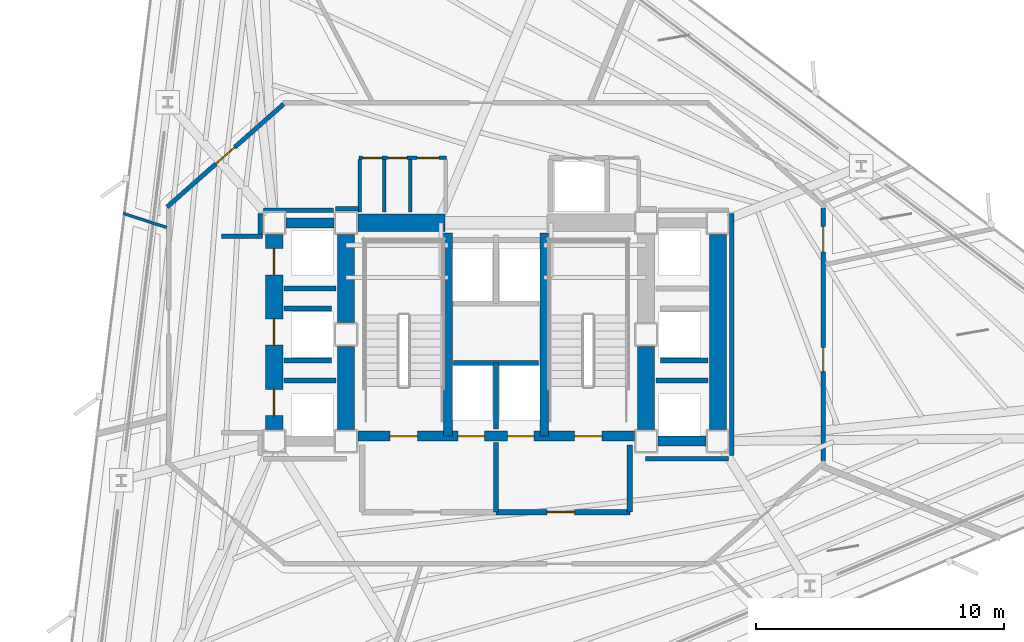
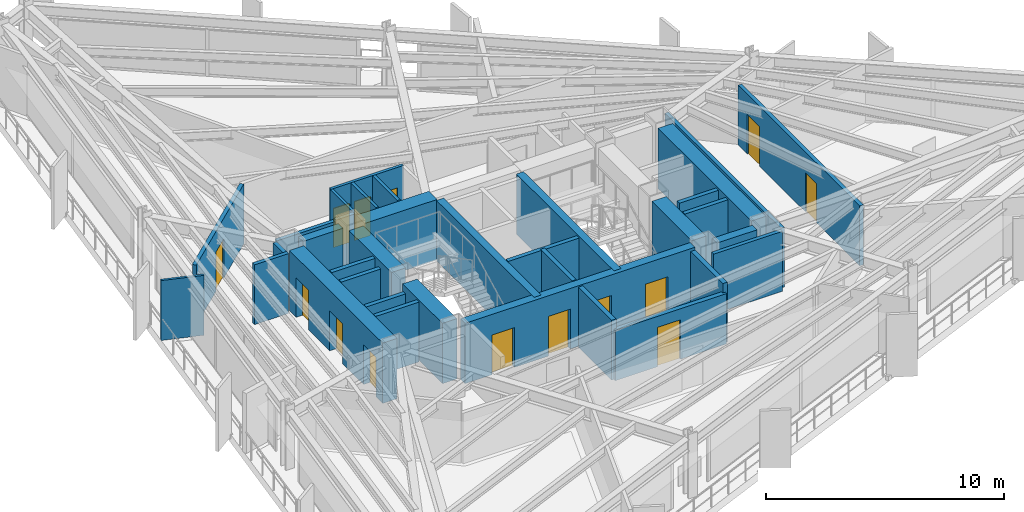
# One storey, part 7 of 13: 35 walls, 14 doors, 14 openings.
"""IFC4 building model written with IfcOpenShell, lengths in metres."""

from ifc_helpers import new_model, si_unit, direction, frame, frame_2d, origin, place, context, subcontext, project, spatial, rectangle, extrude, material, layer, layer_set, type_object, element, fill, save


model = new_model("IFC4")

# Units and contexts
model_context = context("Model", 3, precision=1e-05, world=origin(), true_north=direction((0.0, 1.0)))
body_context = subcontext(model_context, "Body", "Model", "MODEL_VIEW")
ifc_project = project(units=[si_unit("LENGTHUNIT", "METRE"), si_unit("AREAUNIT", "SQUARE_METRE"), si_unit("VOLUMEUNIT", "CUBIC_METRE"), si_unit("PLANEANGLEUNIT", "RADIAN"), si_unit("MASSUNIT", "GRAM", prefix="KILO")], contexts=[model_context])

# Site, building, storey
site_placement = place(None, origin())
site = spatial("IfcSite", under=ifc_project, at=site_placement, CompositionType="ELEMENT")
building_placement = place(site_placement, origin())
building = spatial("IfcBuilding", under=site, at=building_placement, Name="Rocaltana Carrier Exchange", CompositionType="ELEMENT")
storey_placement = place(building_placement, frame((0.0, 0.0, 49.60009765625)))
storey = spatial("IfcBuildingStorey", under=building, at=storey_placement, Name="L15", CompositionType="ELEMENT", Elevation=49.60009765625)

# Walls
ifc_material_1 = material(Name="Concrete C50/60", Category="concrete")
ifc_layer_1 = layer(ifc_material_1, 0.35009765625)
ifc_layer_set_1 = layer_set([ifc_layer_1], Name="Concrete C50/60")
wall_type_1 = type_object("IfcWallType", Name="Core Internal Shear Wall 350", PredefinedType="SHEAR", material=ifc_layer_set_1)
for number, where, z_axis, x_axis, name in (
    (1, (-1.93994140625, -4.10009765625, 0.0), (0.0, 0.0, 1.0), (0.0, 1.0, 0.0), "L15 Core Shear Wall CW-STW"),
    (2, (1.93994140625, -4.10009765625, 0.0), (0.0, 0.0, 1.0), (0.0, 1.0, 0.0), "L15 Core Shear Wall CW-STE"),
):
    element("IfcWall", number, at=place(storey_placement, frame(where, z_axis=z_axis, x_axis=x_axis)), inside=storey, type_object=wall_type_1, Name=name, PredefinedType="SHEAR", context=body_context, shape_type="SweptSolid", body=[
        extrude(rectangle(XDim=8.2001953125, YDim=0.35009765625, at=frame_2d((4.10009765625, 0.0))), origin(), (0.0, 0.0, 1.0), 3.097900390625),
    ])

# Wall, openings, doors
ifc_material_2 = material(Name="Concrete C50/60", Category="concrete")
ifc_layer_2 = layer(ifc_material_2, 0.39990234375)
ifc_layer_set_2 = layer_set([ifc_layer_2], Name="Concrete C50/60")
wall_type_2 = type_object("IfcWallType", Name="Core Internal Shear Wall 400", PredefinedType="SHEAR", material=ifc_layer_set_2)
wall_1_placement = place(storey_placement, frame((-5.574951171875, -4.10009765625, 0.0), z_axis=(0.0, 0.0, 1.0), x_axis=(1.0, 0.0, 0.0)))
wall_1 = element("IfcWall", 3, at=wall_1_placement, inside=storey, type_object=wall_type_2, Name="L15 Core Shear Wall CW-S", PredefinedType="SHEAR", context=body_context, shape_type="SweptSolid", body=[
    extrude(rectangle(XDim=11.14990234375, YDim=0.39990234375, at=frame_2d((5.574951171875, 0.0))), origin(), (0.0, 0.0, 1.0), 3.097900390625),
])
opening_1_placement = place(wall_1_placement, frame((1.304931640625, 0.0, 0.0)))
opening_1 = element("IfcOpeningElement", 4, at=opening_1_placement, cuts=wall_1, Name="Opening D-ST110", PredefinedType="OPENING", context=body_context, shape_type="SweptSolid", body=[
    extrude(rectangle(XDim=1.10009765625, YDim=2.0400390625, at=frame_2d((0.550048828125, 1.02001953125))), frame((0.0, 0.2099609375, 0.0), z_axis=(0.0, -1.0, 0.0), x_axis=(1.0, 0.0, 0.0)), (0.0, 0.0, 1.0), 0.419921875),
])
opening_2_placement = place(wall_1_placement, frame((8.7451171875, 0.0, 0.0)))
opening_2 = element("IfcOpeningElement", 5, at=opening_2_placement, cuts=wall_1, Name="Opening D-ST110", PredefinedType="OPENING", context=body_context, shape_type="SweptSolid", body=[
    extrude(rectangle(XDim=1.10009765625, YDim=2.0400390625, at=frame_2d((0.550048828125, 1.02001953125))), frame((0.0, 0.2099609375, 0.0), z_axis=(0.0, -1.0, 0.0), x_axis=(1.0, 0.0, 0.0)), (0.0, 0.0, 1.0), 0.419921875),
])
opening_3_placement = place(wall_1_placement, frame((4.044921875, 0.0, 0.0)))
opening_3 = element("IfcOpeningElement", 6, at=opening_3_placement, cuts=wall_1, Name="Opening LD-110", PredefinedType="OPENING", context=body_context, shape_type="SweptSolid", body=[
    extrude(rectangle(XDim=1.06005859375, YDim=2.0400390625, at=frame_2d((0.530029296875, 1.02001953125))), frame((0.0, 0.2099609375, 0.0), z_axis=(0.0, -1.0, 0.0), x_axis=(1.0, 0.0, 0.0)), (0.0, 0.0, 1.0), 0.419921875),
])
opening_4_placement = place(wall_1_placement, frame((6.044921875, 0.0, 0.0)))
opening_4 = element("IfcOpeningElement", 7, at=opening_4_placement, cuts=wall_1, Name="Opening LD-110", PredefinedType="OPENING", context=body_context, shape_type="SweptSolid", body=[
    extrude(rectangle(XDim=1.06005859375, YDim=2.0400390625, at=frame_2d((0.530029296875, 1.02001953125))), frame((0.0, 0.2099609375, 0.0), z_axis=(0.0, -1.0, 0.0), x_axis=(1.0, 0.0, 0.0)), (0.0, 0.0, 1.0), 0.419921875),
])
ifc_material_3 = material(Name="Hollow Metal Fire Door Assembly", Category="steel")
door_type_1 = type_object("IfcDoorType", Name="Exit Stair Fire Door 1100x2040 FD90S", OperationType="NOTDEFINED", PredefinedType="DOOR", material=ifc_material_3)
door_1_placement = place(opening_1_placement, origin())
door_1 = element("IfcDoor", 8, at=door_1_placement, inside=storey, type_object=door_type_1, Name="L15 Exit Stair ST1 Fire Door", OperationType="SINGLE_SWING_RIGHT", OverallHeight=2.0400390625, OverallWidth=1.10009765625, PredefinedType="DOOR", context=body_context, shape_type="SweptSolid", body=[
    extrude(rectangle(XDim=1.10009765625, YDim=2.0400390625, at=frame_2d((0.550048828125, 1.02001953125))), frame((0.0, 0.02490234375, 0.0), z_axis=(0.0, -1.0, 0.0), x_axis=(1.0, 0.0, 0.0)), (0.0, 0.0, 1.0), 0.050048828125),
])
fill(opening_1, door_1)
door_2_placement = place(opening_2_placement, origin())
door_2 = element("IfcDoor", 9, at=door_2_placement, inside=storey, type_object=door_type_1, Name="L15 Exit Stair ST2 Fire Door", OperationType="SINGLE_SWING_LEFT", OverallHeight=2.0400390625, OverallWidth=1.10009765625, PredefinedType="DOOR", context=body_context, shape_type="SweptSolid", body=[
    extrude(rectangle(XDim=1.10009765625, YDim=2.0400390625, at=frame_2d((0.550048828125, 1.02001953125))), frame((0.0, 0.02490234375, 0.0), z_axis=(0.0, -1.0, 0.0), x_axis=(1.0, 0.0, 0.0)), (0.0, 0.0, 1.0), 0.050048828125),
])
fill(opening_2, door_2)
ifc_material_4 = material(Name="Brushed Stainless Sliding Door Leaf", Category="steel")
door_type_2 = type_object("IfcDoorType", Name="Lift Landing Sliding Door 1060x2040", OperationType="NOTDEFINED", PredefinedType="DOOR", material=ifc_material_4)
door_3_placement = place(opening_3_placement, origin())
door_3 = element("IfcDoor", 10, at=door_3_placement, inside=storey, type_object=door_type_2, Name="L15 Firefighting Lift FFL1 Landing Door", OperationType="SLIDING_TO_LEFT", OverallHeight=2.0400390625, OverallWidth=1.06005859375, PredefinedType="DOOR", context=body_context, shape_type="SweptSolid", body=[
    extrude(rectangle(XDim=1.06005859375, YDim=2.0400390625, at=frame_2d((0.530029296875, 1.02001953125))), frame((0.0, 0.02490234375, 0.0), z_axis=(0.0, -1.0, 0.0), x_axis=(1.0, 0.0, 0.0)), (0.0, 0.0, 1.0), 0.050048828125),
])
fill(opening_3, door_3)
door_4_placement = place(opening_4_placement, origin())
door_4 = element("IfcDoor", 11, at=door_4_placement, inside=storey, type_object=door_type_2, Name="L15 Firefighting Lift FFL2 Landing Door", OperationType="SLIDING_TO_RIGHT", OverallHeight=2.0400390625, OverallWidth=1.06005859375, PredefinedType="DOOR", context=body_context, shape_type="SweptSolid", body=[
    extrude(rectangle(XDim=1.06005859375, YDim=2.0400390625, at=frame_2d((0.530029296875, 1.02001953125))), frame((0.0, 0.02490234375, 0.0), z_axis=(0.0, -1.0, 0.0), x_axis=(1.0, 0.0, 0.0)), (0.0, 0.0, 1.0), 0.050048828125),
])
fill(opening_4, door_4)

# Walls
for number, where, z_axis, x_axis, name in (
    (12, (-8.47509765625, 4.5, 0.0), (0.0, 0.0, 1.0), (1.0, 0.0, 0.0), "L15 Core Shear Wall CW-WWN"),
    (13, (6.52490234375, -4.300048828125, 0.0), (0.0, 0.0, 1.0), (1.0, 0.0, 0.0), "L15 Core Shear Wall CW-EWS"),
):
    element("IfcWall", number, at=place(storey_placement, frame(where, z_axis=z_axis, x_axis=x_axis)), inside=storey, type_object=wall_type_2, Name=name, PredefinedType="SHEAR", context=body_context, shape_type="SweptSolid", body=[
        extrude(rectangle(XDim=1.9501953125, YDim=0.39990234375, at=frame_2d((0.97509765625, 0.0))), origin(), (0.0, 0.0, 1.0), 3.097900390625),
    ])
ifc_material_5 = material(Name="Concrete C60/75", Category="concrete")
ifc_layer_3 = layer(ifc_material_5, 0.699951171875)
ifc_layer_set_3 = layer_set([ifc_layer_3], Name="Concrete C60/75")
wall_type_3 = type_object("IfcWallType", Name="Core Shear Wall 700", PredefinedType="SHEAR", material=ifc_layer_set_3)
wall_2_placement = place(storey_placement, frame((-6.050048828125, 0.47509765625, 0.0), z_axis=(0.0, 0.0, 1.0), x_axis=(0.0, 1.0, 0.0)))
element("IfcWall", 14, at=wall_2_placement, inside=storey, type_object=wall_type_3, Name="L15 Core Shear Wall CW-WN", PredefinedType="SHEAR", context=body_context, shape_type="SweptSolid", body=[
    extrude(rectangle(XDim=3.5498046875, YDim=0.699951171875, at=frame_2d((1.77490234375, 0.0))), origin(), (0.0, 0.0, 1.0), 3.097900390625),
])
for number, where, z_axis, x_axis, name in (
    (15, (-6.050048828125, -3.824951171875, 0.0), (0.0, 0.0, 1.0), (0.0, 1.0, 0.0), "L15 Core Shear Wall CW-WS"),
    (16, (6.050048828125, -3.824951171875, 0.0), (0.0, 0.0, 1.0), (0.0, 1.0, 0.0), "L15 Core Shear Wall CW-ES"),
):
    element("IfcWall", number, at=place(storey_placement, frame(where, z_axis=z_axis, x_axis=x_axis)), inside=storey, type_object=wall_type_3, Name=name, PredefinedType="SHEAR", context=body_context, shape_type="SweptSolid", body=[
        extrude(rectangle(XDim=3.349853515625, YDim=0.699951171875, at=frame_2d((1.6748046875, 0.0))), origin(), (0.0, 0.0, 1.0), 3.097900390625),
    ])
wall_3_placement = place(storey_placement, frame((-5.574951171875, 4.5, 0.0), z_axis=(0.0, 0.0, 1.0), x_axis=(1.0, 0.0, 0.0)))
element("IfcWall", 17, at=wall_3_placement, inside=storey, type_object=wall_type_3, Name="L15 Core Shear Wall CW-N1", PredefinedType="SHEAR", context=body_context, shape_type="SweptSolid", body=[
    extrude(rectangle(XDim=3.52490234375, YDim=0.699951171875, at=frame_2d((1.762451171875, 0.0))), origin(), (0.0, 0.0, 1.0), 3.097900390625),
])

# Wall, openings, doors
wall_4_placement = place(storey_placement, frame((-8.949951171875, -3.824951171875, 0.0), z_axis=(0.0, 0.0, 1.0), x_axis=(0.0, 1.0, 0.0)))
wall_4 = element("IfcWall", 18, at=wall_4_placement, inside=storey, type_object=wall_type_3, Name="L15 Core Shear Wall CW-WW", PredefinedType="SHEAR", context=body_context, shape_type="SweptSolid", body=[
    extrude(rectangle(XDim=7.849853515625, YDim=0.699951171875, at=frame_2d((3.9248046875, 0.0))), origin(), (0.0, 0.0, 1.0), 3.097900390625),
])
opening_5_placement = place(wall_4_placement, frame((0.550048828125, 0.0, 0.0)))
opening_5 = element("IfcOpeningElement", 19, at=opening_5_placement, cuts=wall_4, Name="Opening LD-110", PredefinedType="OPENING", context=body_context, shape_type="SweptSolid", body=[
    extrude(rectangle(XDim=1.06005859375, YDim=2.0400390625, at=frame_2d((0.530029296875, 1.02001953125))), frame((0.0, 0.35986328125, 0.0), z_axis=(0.0, -1.0, 0.0), x_axis=(1.0, 0.0, 0.0)), (0.0, 0.0, 1.0), 0.719970703125),
])
opening_6_placement = place(wall_4_placement, frame((3.39501953125, 0.0, 0.0)))
opening_6 = element("IfcOpeningElement", 20, at=opening_6_placement, cuts=wall_4, Name="Opening LD-110", PredefinedType="OPENING", context=body_context, shape_type="SweptSolid", body=[
    extrude(rectangle(XDim=1.06005859375, YDim=2.0400390625, at=frame_2d((0.530029296875, 1.02001953125))), frame((0.0, 0.35986328125, 0.0), z_axis=(0.0, -1.0, 0.0), x_axis=(1.0, 0.0, 0.0)), (0.0, 0.0, 1.0), 0.719970703125),
])
opening_7_placement = place(wall_4_placement, frame((6.22998046875, 0.0, 0.0)))
opening_7 = element("IfcOpeningElement", 21, at=opening_7_placement, cuts=wall_4, Name="Opening LD-110", PredefinedType="OPENING", context=body_context, shape_type="SweptSolid", body=[
    extrude(rectangle(XDim=1.06005859375, YDim=2.0400390625, at=frame_2d((0.530029296875, 1.02001953125))), frame((0.0, 0.35986328125, 0.0), z_axis=(0.0, -1.0, 0.0), x_axis=(1.0, 0.0, 0.0)), (0.0, 0.0, 1.0), 0.719970703125),
])
door_5_placement = place(opening_5_placement, origin())
door_5 = element("IfcDoor", 22, at=door_5_placement, inside=storey, type_object=door_type_2, Name="L15 Low-Rise Lift PL-L1 Landing Door", OperationType="SLIDING_TO_LEFT", OverallHeight=2.0400390625, OverallWidth=1.06005859375, PredefinedType="DOOR", context=body_context, shape_type="SweptSolid", body=[
    extrude(rectangle(XDim=1.06005859375, YDim=2.0400390625, at=frame_2d((0.530029296875, 1.02001953125))), frame((0.0, 0.02490234375, 0.0), z_axis=(0.0, -1.0, 0.0), x_axis=(1.0, 0.0, 0.0)), (0.0, 0.0, 1.0), 0.050048828125),
])
fill(opening_5, door_5)
door_6_placement = place(opening_6_placement, origin())
door_6 = element("IfcDoor", 23, at=door_6_placement, inside=storey, type_object=door_type_2, Name="L15 Low-Rise Lift PL-L2 Landing Door", OperationType="SLIDING_TO_RIGHT", OverallHeight=2.0400390625, OverallWidth=1.06005859375, PredefinedType="DOOR", context=body_context, shape_type="SweptSolid", body=[
    extrude(rectangle(XDim=1.06005859375, YDim=2.0400390625, at=frame_2d((0.530029296875, 1.02001953125))), frame((0.0, 0.02490234375, 0.0), z_axis=(0.0, -1.0, 0.0), x_axis=(1.0, 0.0, 0.0)), (0.0, 0.0, 1.0), 0.050048828125),
])
fill(opening_6, door_6)
door_7_placement = place(opening_7_placement, origin())
door_7 = element("IfcDoor", 24, at=door_7_placement, inside=storey, type_object=door_type_2, Name="L15 Low-Rise Lift PL-L3 Landing Door", OperationType="SLIDING_TO_LEFT", OverallHeight=2.0400390625, OverallWidth=1.06005859375, PredefinedType="DOOR", context=body_context, shape_type="SweptSolid", body=[
    extrude(rectangle(XDim=1.06005859375, YDim=2.0400390625, at=frame_2d((0.530029296875, 1.02001953125))), frame((0.0, 0.02490234375, 0.0), z_axis=(0.0, -1.0, 0.0), x_axis=(1.0, 0.0, 0.0)), (0.0, 0.0, 1.0), 0.050048828125),
])
fill(opening_7, door_7)

# Wall
wall_5_placement = place(storey_placement, frame((8.949951171875, -3.824951171875, 0.0), z_axis=(0.0, 0.0, 1.0), x_axis=(0.0, 1.0, 0.0)))
element("IfcWall", 25, at=wall_5_placement, inside=storey, type_object=wall_type_3, Name="L15 Core Shear Wall CW-EW", PredefinedType="SHEAR", context=body_context, shape_type="SweptSolid", body=[
    extrude(rectangle(XDim=7.849853515625, YDim=0.699951171875, at=frame_2d((3.9248046875, 0.0))), origin(), (0.0, 0.0, 1.0), 3.097900390625),
])

# Wall, openings, doors
ifc_material_6 = material(Name="Gypsum & Steel Stud Partition", Category="steel")
ifc_layer_4 = layer(ifc_material_6, 0.179931640625)
ifc_layer_set_4 = layer_set([ifc_layer_4], Name="Gypsum & Steel Stud Partition")
wall_type_4 = type_object("IfcWallType", Name="Corridor Fire Partition 180 EI60", PredefinedType="PARTITIONING", material=ifc_layer_set_4)
wall_6_placement = place(storey_placement, frame((13.199951171875, 5.110107421875, 0.0), z_axis=(0.0, 0.0, 1.0), x_axis=(0.0, -1.0, 0.0)))
wall_6 = element("IfcWall", 26, at=wall_6_placement, inside=storey, type_object=wall_type_4, Name="L15 Corridor Partition 3", PredefinedType="PARTITIONING", context=body_context, shape_type="SweptSolid", body=[
    extrude(rectangle(XDim=10.22021484375, YDim=0.179931640625, at=frame_2d((5.110107421875, 0.0))), origin(), (0.0, 0.0, 1.0), 3.072998046875),
])
opening_8_placement = place(wall_6_placement, frame((5.644287109375, 0.0, 0.0)))
opening_8 = element("IfcOpeningElement", 27, at=opening_8_placement, cuts=wall_6, Name="Opening D-RM098", PredefinedType="OPENING", context=body_context, shape_type="SweptSolid", body=[
    extrude(rectangle(XDim=0.9599609375, YDim=2.02001953125, at=frame_2d((0.47998046875, 1.010009765625))), frame((0.0, 0.099853515625, 0.0), z_axis=(0.0, -1.0, 0.0), x_axis=(1.0, 0.0, 0.0)), (0.0, 0.0, 1.0), 0.199951171875),
])
opening_9_placement = place(wall_6_placement, frame((0.762939453125, 0.0, 0.0)))
opening_9 = element("IfcOpeningElement", 28, at=opening_9_placement, cuts=wall_6, Name="Opening D-LB104", PredefinedType="OPENING", context=body_context, shape_type="SweptSolid", body=[
    extrude(rectangle(XDim=1.02001953125, YDim=2.02001953125, at=frame_2d((0.510009765625, 1.010009765625))), frame((0.0, 0.099853515625, 0.0), z_axis=(0.0, -1.0, 0.0), x_axis=(1.0, 0.0, 0.0)), (0.0, 0.0, 1.0), 0.199951171875),
])
ifc_material_7 = material(Name="Powder-Coated Aluminium 6063-T6", Category="aluminium")
door_type_3 = type_object("IfcDoorType", Name="Laboratory Acoustic Door 1020x2020", OperationType="NOTDEFINED", PredefinedType="DOOR", material=ifc_material_7)
door_8_placement = place(opening_9_placement, origin())
door_8 = element("IfcDoor", 29, at=door_8_placement, inside=storey, type_object=door_type_3, Name="L15 Protocol Calibration Laboratory Entrance Door", OperationType="SINGLE_SWING_RIGHT", OverallHeight=2.02001953125, OverallWidth=1.02001953125, PredefinedType="DOOR", context=body_context, shape_type="SweptSolid", body=[
    extrude(rectangle(XDim=1.02001953125, YDim=2.02001953125, at=frame_2d((0.510009765625, 1.010009765625))), frame((0.0, 0.02490234375, 0.0), z_axis=(0.0, -1.0, 0.0), x_axis=(1.0, 0.0, 0.0)), (0.0, 0.0, 1.0), 0.050048828125),
])
fill(opening_9, door_8)
ifc_material_8 = material(Name="Engineered Hardwood Timber", Category="wood")
door_type_4 = type_object("IfcDoorType", Name="Workspace Single Door 960x2020", OperationType="NOTDEFINED", PredefinedType="DOOR", material=ifc_material_8)
door_9_placement = place(opening_8_placement, origin())
door_9 = element("IfcDoor", 30, at=door_9_placement, inside=storey, type_object=door_type_4, Name="L15 Peering Conference Room Entrance Door", OperationType="SINGLE_SWING_LEFT", OverallHeight=2.02001953125, OverallWidth=0.9599609375, PredefinedType="DOOR", context=body_context, shape_type="SweptSolid", body=[
    extrude(rectangle(XDim=0.9599609375, YDim=2.02001953125, at=frame_2d((0.47998046875, 1.010009765625))), frame((0.0, 0.02490234375, 0.0), z_axis=(0.0, -1.0, 0.0), x_axis=(1.0, 0.0, 0.0)), (0.0, 0.0, 1.0), 0.050048828125),
])
fill(opening_8, door_9)

# Wall, opening, door
wall_7_placement = place(storey_placement, frame((-13.267578125, 5.140380859375, 0.0), z_axis=(0.0, 0.0, 1.0), x_axis=(0.749626463267, 0.66186113768, 0.0)))
wall_7 = element("IfcWall", 31, at=wall_7_placement, inside=storey, type_object=wall_type_4, Name="L15 Corridor Partition 8", PredefinedType="PARTITIONING", context=body_context, shape_type="SweptSolid", body=[
    extrude(rectangle(XDim=6.27001953125, YDim=0.179931640625, at=frame_2d((3.135009765625, 0.0))), origin(), (0.0, 0.0, 1.0), 3.072998046875),
])
opening_10_placement = place(wall_7_placement, frame((2.625, 0.0, 0.0)))
opening_10 = element("IfcOpeningElement", 32, at=opening_10_placement, cuts=wall_7, Name="Opening D-LB104", PredefinedType="OPENING", context=body_context, shape_type="SweptSolid", body=[
    extrude(rectangle(XDim=1.02001953125, YDim=2.02001953125, at=frame_2d((0.510009765625, 1.010009765625))), frame((0.0, 0.099853515625, 0.0), z_axis=(0.0, -1.0, 0.0), x_axis=(1.0, 0.0, 0.0)), (0.0, 0.0, 1.0), 0.199951171875),
])
door_10_placement = place(opening_10_placement, origin())
door_10 = element("IfcDoor", 33, at=door_10_placement, inside=storey, type_object=door_type_3, Name="L15 Photonic Integration Workshop Entrance Door", OperationType="SINGLE_SWING_LEFT", OverallHeight=2.02001953125, OverallWidth=1.02001953125, PredefinedType="DOOR", context=body_context, shape_type="SweptSolid", body=[
    extrude(rectangle(XDim=1.02001953125, YDim=2.02001953125, at=frame_2d((0.510009765625, 1.010009765625))), frame((0.0, 0.02490234375, 0.0), z_axis=(0.0, -1.0, 0.0), x_axis=(1.0, 0.0, 0.0)), (0.0, 0.0, 1.0), 0.050048828125),
])
fill(opening_10, door_10)

# Walls
wall_8_placement = place(storey_placement, frame((-9.510009765625, 4.8701171875, 0.0), z_axis=(0.0, 0.0, 1.0), x_axis=(0.0, -1.0, 0.0)))
element("IfcWall", 34, at=wall_8_placement, inside=storey, type_object=wall_type_4, Name="L15 Corridor Partition 9", PredefinedType="PARTITIONING", context=body_context, shape_type="SweptSolid", body=[
    extrude(rectangle(XDim=0.820068359375, YDim=0.179931640625, at=frame_2d((0.41015625, 0.0))), origin(), (0.0, 0.0, 1.0), 3.072998046875),
])
wall_9_placement = place(storey_placement, frame((-9.419921875, 3.9599609375, 0.0), z_axis=(0.0, 0.0, 1.0), x_axis=(-1.0, 0.0, 0.0)))
element("IfcWall", 35, at=wall_9_placement, inside=storey, type_object=wall_type_4, Name="L15 Corridor Partition 10", PredefinedType="PARTITIONING", context=body_context, shape_type="SweptSolid", body=[
    extrude(rectangle(XDim=1.650146484375, YDim=0.179931640625, at=frame_2d((0.8251953125, 0.0))), origin(), (0.0, 0.0, 1.0), 3.072998046875),
])
wall_10_placement = place(storey_placement, frame((6.030029296875, -5.010009765625, 0.0), z_axis=(0.0, 0.0, 1.0), x_axis=(1.0, 0.0, 0.0)))
element("IfcWall", 36, at=wall_10_placement, inside=storey, type_object=wall_type_4, Name="L15 Corridor Partition 16", PredefinedType="PARTITIONING", context=body_context, shape_type="SweptSolid", body=[
    extrude(rectangle(XDim=3.340087890625, YDim=0.179931640625, at=frame_2d((1.669921875, 0.0))), origin(), (0.0, 0.0, 1.0), 3.072998046875),
])
wall_11_placement = place(storey_placement, frame((9.510009765625, -4.8701171875, 0.0), z_axis=(0.0, 0.0, 1.0), x_axis=(0.0, 1.0, 0.0)))
element("IfcWall", 37, at=wall_11_placement, inside=storey, type_object=wall_type_4, Name="L15 Corridor Partition 17", PredefinedType="PARTITIONING", context=body_context, shape_type="SweptSolid", body=[
    extrude(rectangle(XDim=9.740234375, YDim=0.179931640625, at=frame_2d((4.8701171875, 0.0))), origin(), (0.0, 0.0, 1.0), 3.072998046875),
])
wall_12_placement = place(storey_placement, frame((-5.550048828125, 5.080078125, 0.0), z_axis=(0.0, 0.0, 1.0), x_axis=(-1.0, 0.0, 0.0)))
element("IfcWall", 38, at=wall_12_placement, inside=storey, type_object=wall_type_4, Name="L15 Corridor Partition 22", PredefinedType="PARTITIONING", context=body_context, shape_type="SweptSolid", body=[
    extrude(rectangle(XDim=0.919921875, YDim=0.179931640625, at=frame_2d((0.4599609375, 0.0))), origin(), (0.0, 0.0, 1.0), 3.072998046875),
])
wall_13_placement = place(storey_placement, frame((-6.562255859375, 5.010009765625, 0.0), z_axis=(0.0, 0.0, 1.0), x_axis=(-1.0, 0.0, 0.0)))
element("IfcWall", 39, at=wall_13_placement, inside=storey, type_object=wall_type_4, Name="L15 Corridor Partition 23", PredefinedType="PARTITIONING", context=body_context, shape_type="SweptSolid", body=[
    extrude(rectangle(XDim=2.807861328125, YDim=0.179931640625, at=frame_2d((1.40380859375, 0.0))), origin(), (0.0, 0.0, 1.0), 3.072998046875),
])
ifc_material_9 = material(Name="Aluminium 6063-T6 & Acoustic Glass", Category="aluminium")
ifc_layer_5 = layer(ifc_material_9, 0.114990234375)
ifc_layer_set_5 = layer_set([ifc_layer_5], Name="Aluminium 6063-T6 & Acoustic Glass")
wall_type_5 = type_object("IfcWallType", Name="Demountable Glazed Lab Partition 115", PredefinedType="MOVABLE", material=ifc_layer_set_5)
wall_14_placement = place(storey_placement, frame((-13.280029296875, 4.31494140625, 0.0), z_axis=(0.0, 0.0, 1.0), x_axis=(-0.951047661396, 0.309044245624, 0.0)))
element("IfcWall", 40, at=wall_14_placement, inside=storey, type_object=wall_type_5, Name="L15 Suite Divider Wall D9", PredefinedType="MOVABLE", context=body_context, shape_type="SweptSolid", body=[
    extrude(rectangle(XDim=1.84765625, YDim=0.114990234375, at=frame_2d((0.923828125, 0.0))), origin(), (0.0, 0.0, 1.0), 3.072998046875),
])
ifc_material_10 = material(Name="Autoclaved Aerated Concrete C30/37", Category="concrete")
ifc_layer_6 = layer(ifc_material_10, 0.219970703125)
ifc_layer_set_6 = layer_set([ifc_layer_6], Name="Autoclaved Aerated Concrete C30/37")
wall_type_6 = type_object("IfcWallType", Name="Firefighting Lobby Wall 220 EI120", PredefinedType="PARTITIONING", material=ifc_layer_set_6)
wall_15_placement = place(storey_placement, frame((5.39990234375, -7.159912109375, 0.0), z_axis=(0.0, 0.0, 1.0), x_axis=(0.0, 1.0, 0.0)))
element("IfcWall", 41, at=wall_15_placement, inside=storey, type_object=wall_type_6, Name="L15 FFL Lobby 2 East Wall", PredefinedType="PARTITIONING", context=body_context, shape_type="SweptSolid", body=[
    extrude(rectangle(XDim=2.7099609375, YDim=0.219970703125, at=frame_2d((1.35498046875, 0.0))), origin(), (0.0, 0.0, 1.0), 3.072998046875),
])
wall_16_placement = place(storey_placement, frame((0.0, -7.159912109375, 0.0), z_axis=(0.0, 0.0, 1.0), x_axis=(0.0, 1.0, 0.0)))
element("IfcWall", 42, at=wall_16_placement, inside=storey, type_object=wall_type_6, Name="L15 FFL Lobby Centre Wall", PredefinedType="PARTITIONING", context=body_context, shape_type="SweptSolid", body=[
    extrude(rectangle(XDim=2.809814453125, YDim=0.219970703125, at=frame_2d((1.40478515625, 0.0))), origin(), (0.0, 0.0, 1.0), 3.072998046875),
])

# Wall, opening, door
wall_17_placement = place(storey_placement, frame((0.0, -7.159912109375, 0.0), z_axis=(0.0, 0.0, 1.0), x_axis=(1.0, 0.0, 0.0)))
wall_17 = element("IfcWall", 43, at=wall_17_placement, inside=storey, type_object=wall_type_6, Name="L15 FFL Lobby 2 South Wall", PredefinedType="PARTITIONING", context=body_context, shape_type="SweptSolid", body=[
    extrude(rectangle(XDim=5.39990234375, YDim=0.219970703125, at=frame_2d((2.699951171875, 0.0))), origin(), (0.0, 0.0, 1.0), 2.5869140625),
])
opening_11_placement = place(wall_17_placement, frame((2.050048828125, 0.0, 0.0)))
opening_11 = element("IfcOpeningElement", 44, at=opening_11_placement, cuts=wall_17, Name="Opening D-FF115", PredefinedType="OPENING", context=body_context, shape_type="SweptSolid", body=[
    extrude(rectangle(XDim=1.1201171875, YDim=2.02001953125, at=frame_2d((0.56005859375, 1.010009765625))), frame((0.0, 0.119873046875, 0.0), z_axis=(0.0, -1.0, 0.0), x_axis=(1.0, 0.0, 0.0)), (0.0, 0.0, 1.0), 0.239990234375),
])
ifc_material_11 = material(Name="Hollow Metal Fire Door Assembly", Category="steel")
door_type_5 = type_object("IfcDoorType", Name="Firefighting Lobby Door 1120x2020 FD60S", OperationType="NOTDEFINED", PredefinedType="DOOR", material=ifc_material_11)
door_11_placement = place(opening_11_placement, origin())
door_11 = element("IfcDoor", 45, at=door_11_placement, inside=storey, type_object=door_type_5, Name="L15 Firefighting Lift Lobby 2 Door", OperationType="SINGLE_SWING_LEFT", OverallHeight=2.02001953125, OverallWidth=1.1201171875, PredefinedType="DOOR", context=body_context, shape_type="SweptSolid", body=[
    extrude(rectangle(XDim=1.1201171875, YDim=2.02001953125, at=frame_2d((0.56005859375, 1.010009765625))), frame((0.0, 0.02490234375, 0.0), z_axis=(0.0, -1.0, 0.0), x_axis=(1.0, 0.0, 0.0)), (0.0, 0.0, 1.0), 0.050048828125),
])
fill(opening_11, door_11)

# Walls
ifc_material_12 = material(Name="Reinforced Concrete Block C35/45", Category="concrete")
ifc_layer_7 = layer(ifc_material_12, 0.199951171875)
ifc_layer_set_7 = layer_set([ifc_layer_7], Name="Reinforced Concrete Block C35/45")
wall_type_7 = type_object("IfcWallType", Name="Lift Hoistway Enclosure Wall 200 EI120", PredefinedType="PARTITIONING", material=ifc_layer_set_7)
wall_18_placement = place(storey_placement, frame((0.0, -3.820068359375, 0.0), z_axis=(0.0, 0.0, 1.0), x_axis=(0.0, 1.0, 0.0)))
element("IfcWall", 46, at=wall_18_placement, inside=storey, type_object=wall_type_7, Name="L15 FFL Shaft Divider", PredefinedType="PARTITIONING", context=body_context, shape_type="SweptSolid", body=[
    extrude(rectangle(XDim=2.670166015625, YDim=0.199951171875, at=frame_2d((1.3349609375, 0.0))), origin(), (0.0, 0.0, 1.0), 3.072998046875),
])
wall_19_placement = place(storey_placement, frame((-1.719970703125, -1.14990234375, 0.0), z_axis=(0.0, 0.0, 1.0), x_axis=(1.0, 0.0, 0.0)))
element("IfcWall", 47, at=wall_19_placement, inside=storey, type_object=wall_type_7, Name="L15 FFL Shaft Back Wall", PredefinedType="PARTITIONING", context=body_context, shape_type="SweptSolid", body=[
    extrude(rectangle(XDim=3.43994140625, YDim=0.199951171875, at=frame_2d((1.719970703125, 0.0))), origin(), (0.0, 0.0, 1.0), 3.072998046875),
])
for number, where, z_axis, x_axis, name in (
    (48, (-8.550048828125, -1.85009765625, 0.0), (0.0, 0.0, 1.0), (1.0, 0.0, 0.0), "L15 Low-Rise Shaft Divider 1"),
    (49, (-8.550048828125, 1.85009765625, 0.0), (0.0, 0.0, 1.0), (1.0, 0.0, 0.0), "L15 Low-Rise Shaft Divider 2"),
):
    element("IfcWall", number, at=place(storey_placement, frame(where, z_axis=z_axis, x_axis=x_axis)), inside=storey, type_object=wall_type_7, Name=name, PredefinedType="PARTITIONING", context=body_context, shape_type="SweptSolid", body=[
        extrude(rectangle(XDim=2.10009765625, YDim=0.199951171875, at=frame_2d((1.050048828125, 0.0))), origin(), (0.0, 0.0, 1.0), 3.072998046875),
    ])
for number, where, z_axis, x_axis, name in (
    (50, (-8.550048828125, -1.050048828125, 0.0), (0.0, 0.0, 1.0), (1.0, 0.0, 0.0), "L15 Low-Rise Center Shaft Wall South"),
    (51, (-8.550048828125, 1.050048828125, 0.0), (0.0, 0.0, 1.0), (1.0, 0.0, 0.0), "L15 Low-Rise Center Shaft Wall North"),
):
    element("IfcWall", number, at=place(storey_placement, frame(where, z_axis=z_axis, x_axis=x_axis)), inside=storey, type_object=wall_type_7, Name=name, PredefinedType="PARTITIONING", context=body_context, shape_type="SweptSolid", body=[
        extrude(rectangle(XDim=1.91015625, YDim=0.199951171875, at=frame_2d((0.955078125, 0.0))), origin(), (0.0, 0.0, 1.0), 3.072998046875),
    ])
wall_20_placement = place(storey_placement, frame((6.449951171875, -1.85009765625, 0.0), z_axis=(0.0, 0.0, 1.0), x_axis=(1.0, 0.0, 0.0)))
element("IfcWall", 52, at=wall_20_placement, inside=storey, type_object=wall_type_7, Name="L15 Mid-Rise Shaft Divider 1", PredefinedType="PARTITIONING", context=body_context, shape_type="SweptSolid", body=[
    extrude(rectangle(XDim=2.10009765625, YDim=0.199951171875, at=frame_2d((1.050048828125, 0.0))), origin(), (0.0, 0.0, 1.0), 3.072998046875),
])
wall_21_placement = place(storey_placement, frame((6.639892578125, -1.050048828125, 0.0), z_axis=(0.0, 0.0, 1.0), x_axis=(1.0, 0.0, 0.0)))
element("IfcWall", 53, at=wall_21_placement, inside=storey, type_object=wall_type_7, Name="L15 Mid-Rise Center Shaft Wall South", PredefinedType="PARTITIONING", context=body_context, shape_type="SweptSolid", body=[
    extrude(rectangle(XDim=1.91015625, YDim=0.199951171875, at=frame_2d((0.955078125, 0.0))), origin(), (0.0, 0.0, 1.0), 3.072998046875),
])
ifc_material_13 = material(Name="Moisture-Resistant Masonry C30/37", Category="masonry")
ifc_layer_8 = layer(ifc_material_13, 0.139892578125)
ifc_layer_set_8 = layer_set([ifc_layer_8], Name="Moisture-Resistant Masonry C30/37")
wall_type_8 = type_object("IfcWallType", Name="Wet-Area Sanitary Partition 140", PredefinedType="PARTITIONING", material=ifc_layer_set_8)
for number, where, z_axis, x_axis, name in (
    (54, (-5.5, 4.949951171875, 0.0), (0.0, 0.0, 1.0), (0.0, 1.0, 0.0), "L15 Sanitary West Wall"),
    (55, (-4.5, 4.949951171875, 0.0), (0.0, 0.0, 1.0), (0.0, 1.0, 0.0), "L15 Sanitary Divider 1"),
    (56, (-3.449951171875, 4.949951171875, 0.0), (0.0, 0.0, 1.0), (0.0, 1.0, 0.0), "L15 Sanitary Divider 2"),
):
    element("IfcWall", number, at=place(storey_placement, frame(where, z_axis=z_axis, x_axis=x_axis)), inside=storey, type_object=wall_type_8, Name=name, PredefinedType="PARTITIONING", context=body_context, shape_type="SweptSolid", body=[
        extrude(rectangle(XDim=2.10009765625, YDim=0.139892578125, at=frame_2d((1.050048828125, 0.0))), origin(), (0.0, 0.0, 1.0), 3.072998046875),
    ])

# Wall, openings, doors
wall_22_placement = place(storey_placement, frame((-5.52001953125, 7.1201171875, 0.0), z_axis=(0.0, 0.0, 1.0), x_axis=(1.0, 0.0, 0.0)))
wall_22 = element("IfcWall", 57, at=wall_22_placement, inside=storey, type_object=wall_type_8, Name="L15 Sanitary North Wall", PredefinedType="PARTITIONING", context=body_context, shape_type="SweptSolid", body=[
    extrude(rectangle(XDim=3.52001953125, YDim=0.139892578125, at=frame_2d((1.760009765625, 0.0))), origin(), (0.0, 0.0, 1.0), 3.072998046875),
])
opening_12_placement = place(wall_22_placement, frame((0.139892578125, 0.0, 0.0)))
opening_12 = element("IfcOpeningElement", 58, at=opening_12_placement, cuts=wall_22, Name="Opening D-RS082", PredefinedType="OPENING", context=body_context, shape_type="SweptSolid", body=[
    extrude(rectangle(XDim=0.780029296875, YDim=2.010009765625, at=frame_2d((0.39013671875, 1.0048828125))), frame((0.0, 0.079833984375, 0.0), z_axis=(0.0, -1.0, 0.0), x_axis=(1.0, 0.0, 0.0)), (0.0, 0.0, 1.0), 0.159912109375),
])
opening_13_placement = place(wall_22_placement, frame((1.14990234375, 0.0, 0.0)))
opening_13 = element("IfcOpeningElement", 59, at=opening_13_placement, cuts=wall_22, Name="Opening D-RS082", PredefinedType="OPENING", context=body_context, shape_type="SweptSolid", body=[
    extrude(rectangle(XDim=0.780029296875, YDim=2.010009765625, at=frame_2d((0.39013671875, 1.0048828125))), frame((0.0, 0.079833984375, 0.0), z_axis=(0.0, -1.0, 0.0), x_axis=(1.0, 0.0, 0.0)), (0.0, 0.0, 1.0), 0.159912109375),
])
opening_14_placement = place(wall_22_placement, frame((2.340087890625, 0.0, 0.0)))
opening_14 = element("IfcOpeningElement", 60, at=opening_14_placement, cuts=wall_22, Name="Opening D-WC090", PredefinedType="OPENING", context=body_context, shape_type="SweptSolid", body=[
    extrude(rectangle(XDim=0.8798828125, YDim=2.02001953125, at=frame_2d((0.43994140625, 1.010009765625))), frame((0.0, 0.079833984375, 0.0), z_axis=(0.0, -1.0, 0.0), x_axis=(1.0, 0.0, 0.0)), (0.0, 0.0, 1.0), 0.159912109375),
])
ifc_material_14 = material(Name="High-Pressure Laminate Timber", Category="wood")
door_type_6 = type_object("IfcDoorType", Name="Restroom & Accessible WC Door 880x2020", OperationType="NOTDEFINED", PredefinedType="DOOR", material=ifc_material_14)
door_12_placement = place(opening_14_placement, origin())
door_12 = element("IfcDoor", 61, at=door_12_placement, inside=storey, type_object=door_type_6, Name="L15 Accessible Toilet Door", OperationType="SINGLE_SWING_RIGHT", OverallHeight=2.02001953125, OverallWidth=0.8798828125, PredefinedType="DOOR", context=body_context, shape_type="SweptSolid", body=[
    extrude(rectangle(XDim=0.8798828125, YDim=2.02001953125, at=frame_2d((0.43994140625, 1.010009765625))), frame((0.0, 0.02490234375, 0.0), z_axis=(0.0, -1.0, 0.0), x_axis=(1.0, 0.0, 0.0)), (0.0, 0.0, 1.0), 0.050048828125),
])
fill(opening_14, door_12)
ifc_material_15 = material(Name="Hollow Metal Access Door Leaf", Category="steel")
door_type_7 = type_object("IfcDoorType", Name="Riser & Service Closet Door 780x2010", OperationType="NOTDEFINED", PredefinedType="DOOR", material=ifc_material_15)
door_13_placement = place(opening_12_placement, origin())
door_13 = element("IfcDoor", 62, at=door_13_placement, inside=storey, type_object=door_type_7, Name="L15 Cleaner Store Door", OperationType="SINGLE_SWING_RIGHT", OverallHeight=2.010009765625, OverallWidth=0.780029296875, PredefinedType="DOOR", context=body_context, shape_type="SweptSolid", body=[
    extrude(rectangle(XDim=0.780029296875, YDim=2.010009765625, at=frame_2d((0.39013671875, 1.0048828125))), frame((0.0, 0.02490234375, 0.0), z_axis=(0.0, -1.0, 0.0), x_axis=(1.0, 0.0, 0.0)), (0.0, 0.0, 1.0), 0.050048828125),
])
fill(opening_12, door_13)
door_14_placement = place(opening_13_placement, origin())
door_14 = element("IfcDoor", 63, at=door_14_placement, inside=storey, type_object=door_type_7, Name="L15 Staff Restroom Door", OperationType="SINGLE_SWING_LEFT", OverallHeight=2.010009765625, OverallWidth=0.780029296875, PredefinedType="DOOR", context=body_context, shape_type="SweptSolid", body=[
    extrude(rectangle(XDim=0.780029296875, YDim=2.010009765625, at=frame_2d((0.39013671875, 1.0048828125))), frame((0.0, 0.02490234375, 0.0), z_axis=(0.0, -1.0, 0.0), x_axis=(1.0, 0.0, 0.0)), (0.0, 0.0, 1.0), 0.050048828125),
])
fill(opening_13, door_14)

save(model, "model.ifc")
